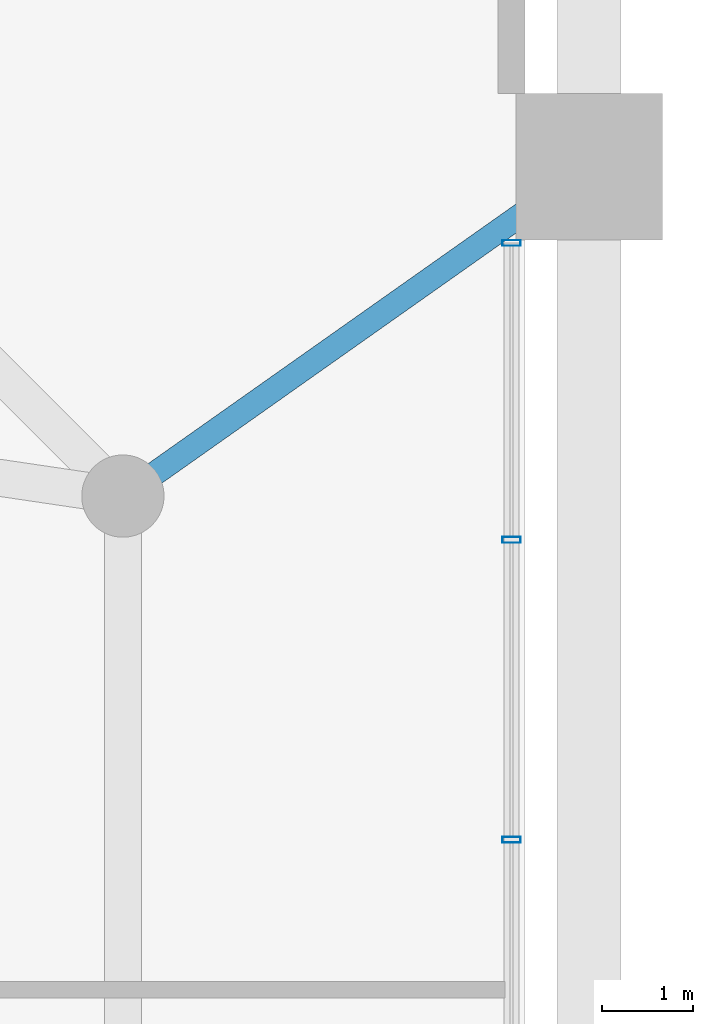
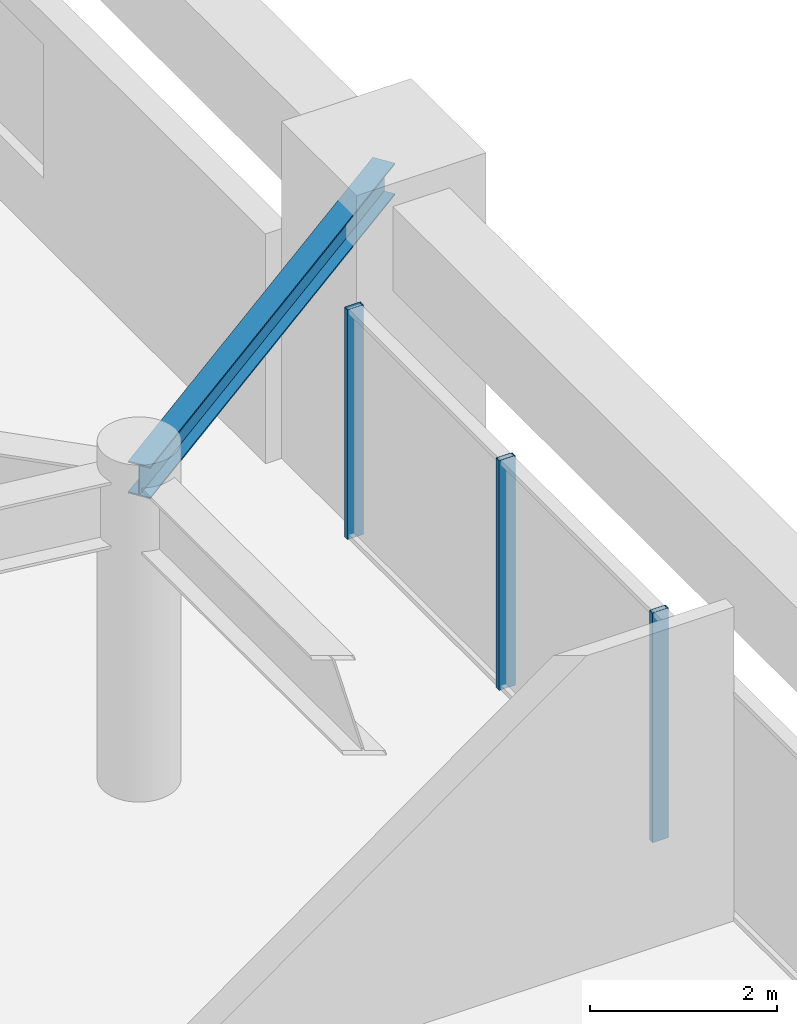
# One storey, part 12 of 22: 3 members, 1 beam, 1 element without a shape of its own.
"""IFC4 building model written with IfcOpenShell, lengths in metres."""

from ifc_helpers import new_model, si_unit, direction, frame, origin, origin_2d, place, context, subcontext, project, spatial, hollow_rectangle, i_section, extrude, source, transform, mapped, material, layer, layer_set, material_profile, profile_set, type_object, element, aggregate, save


model = new_model("IFC4")

# Units and contexts
model_context = context("Model", 3, precision=1e-05, world=origin(), true_north=direction((0.0, 1.0)))
body_context = subcontext(model_context, "Body", "Model", "MODEL_VIEW")
ifc_project = project(units=[si_unit("LENGTHUNIT", "METRE"), si_unit("AREAUNIT", "SQUARE_METRE"), si_unit("VOLUMEUNIT", "CUBIC_METRE"), si_unit("PLANEANGLEUNIT", "RADIAN"), si_unit("MASSUNIT", "GRAM", prefix="KILO")], contexts=[model_context])

# Site, building, storey
site_placement = place(None, origin())
site = spatial("IfcSite", under=ifc_project, at=site_placement, CompositionType="ELEMENT")
building_placement = place(site_placement, origin())
building = spatial("IfcBuilding", under=site, at=building_placement, Name="Veraguas Prism Commons", CompositionType="ELEMENT")
storey_placement = place(building_placement, frame((0.0, 0.0, 5.199951171875)))
storey = spatial("IfcBuildingStorey", under=building, at=storey_placement, Name="L01", CompositionType="ELEMENT", Elevation=5.199951171875)

# Beam
ifc_material_1 = material(Name="Steel ASTM A992 Grade 50", Category="steel")
ifc_material_profile_1 = material_profile(ifc_material_1, i_section(OverallWidth=0.260986328125, OverallDepth=0.419921875, WebThickness=0.01171875, FlangeThickness=0.019287109375, at=origin_2d()), Name="W410X114")
ifc_profile_set_1 = profile_set([ifc_material_profile_1], Name="Steel ASTM A992 Grade 50")
beam_type = type_object("IfcBeamType", Name="Lower Floor Joist W410x114", PredefinedType="JOIST", material=ifc_profile_set_1)
beam_placement = place(storey_placement, frame((41.60009765625, 29.39990234375, 3.89013671875), z_axis=(0.816952688962, 0.576704693927, 0.0), x_axis=(-0.576704693927, 0.816952688962, 0.0)))
element("IfcBeam", 1, at=beam_placement, inside=storey, type_object=beam_type, Name="Podium Tie Beam L01-TMT02", PredefinedType="JOIST", context=body_context, shape_type="SweptSolid", body=[
    extrude(i_section(OverallWidth=0.260986328125, OverallDepth=0.419921875, WebThickness=0.01171875, FlangeThickness=0.019287109375, at=origin_2d()), origin(), (0.0, 0.0, 1.0), 6.242431640625),
])

# Curtain wall, members
ifc_material_2 = material(Name="Anodised aluminium EN AW-6063 T6", Category="aluminium")
ifc_layer = layer(ifc_material_2, 0.199951171875, Name="Metro Concourse Structural Glazing", Category="aluminium")
ifc_layer_set = layer_set([ifc_layer], Name="Anodised aluminium EN AW-6063 T6")
curtain_wall_type = type_object("IfcCurtainWallType", Name="Metro Concourse Structural Glazing", PredefinedType="NOTDEFINED", material=ifc_layer_set)
curtain_wall_placement = place(storey_placement, origin())
curtain_wall = element("IfcCurtainWall", 2, at=curtain_wall_placement, inside=storey, type_object=curtain_wall_type, Name="Plaza Concourse Curtain Wall L01-E02", PredefinedType="NOTDEFINED")
ifc_material_profile_2 = material_profile(ifc_material_2, hollow_rectangle(XDim=0.06494140625, YDim=0.199951171875, WallThickness=0.00390625, at=origin_2d()), Name="AL65X200X4")
ifc_profile_set_2 = profile_set([ifc_material_profile_2], Name="Anodised aluminium EN AW-6063 T6")
member_type = type_object("IfcMemberType", Name="Curtain Wall Mullion Heavy AL 65x200x4", PredefinedType="MULLION", material=ifc_profile_set_2)
shared_shape = source(origin(), body_context, "Body", "SweptSolid", [
    extrude(hollow_rectangle(XDim=0.06494140625, YDim=0.199951171875, WallThickness=0.00390625, at=origin_2d()), origin(), (0.0, 0.0, 1.0), 3.0),
])
member_1_placement = place(storey_placement, frame((45.85009765625, 25.639892578125, 0.0), z_axis=(0.0, 0.0, 1.0), x_axis=(0.0, 1.0, 0.0)))
member_1 = element("IfcMember", 3, at=member_1_placement, type_object=member_type, Name="CW-STN Mullion 4", PredefinedType="MULLION", context=body_context, shape_type="MappedRepresentation", body=[
    mapped(shared_shape, transform((0.0, 0.0, 0.0), scale=1.0)),
])
member_2_placement = place(storey_placement, frame((45.85009765625, 28.919921875, 0.0), z_axis=(0.0, 0.0, 1.0), x_axis=(0.0, 1.0, 0.0)))
member_2 = element("IfcMember", 4, at=member_2_placement, type_object=member_type, Name="CW-STN Mullion 5", PredefinedType="MULLION", context=body_context, shape_type="MappedRepresentation", body=[
    mapped(shared_shape, transform((0.0, 0.0, 0.0), scale=1.0)),
])
member_3_placement = place(storey_placement, frame((45.85009765625, 32.16748046875, 0.0), z_axis=(0.0, 0.0, 1.0), x_axis=(0.0, 1.0, 0.0)))
member_3 = element("IfcMember", 5, at=member_3_placement, type_object=member_type, Name="CW-STN Mullion 6", PredefinedType="MULLION", context=body_context, shape_type="MappedRepresentation", body=[
    mapped(shared_shape, transform((0.0, 0.0, 0.0), scale=1.0)),
])
aggregate(curtain_wall, [member_1, member_2, member_3])

save(model, "model.ifc")
